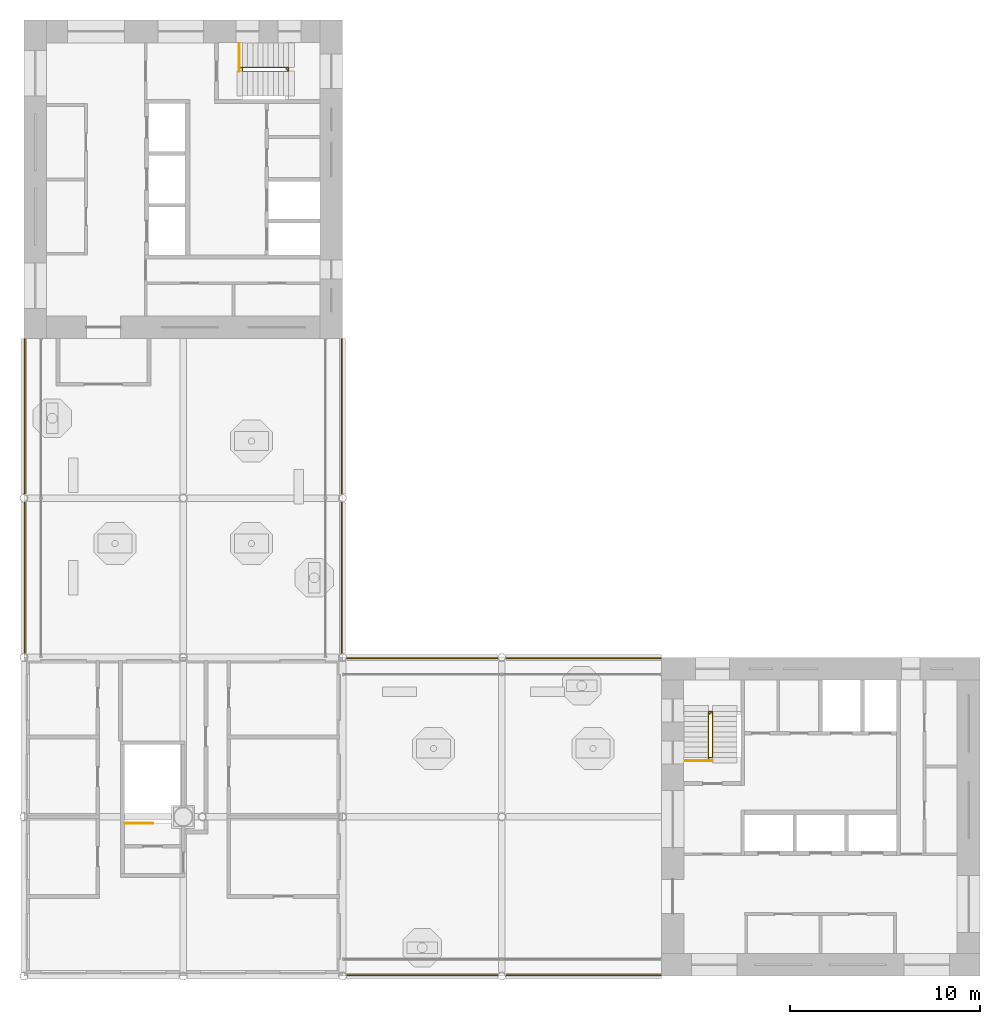
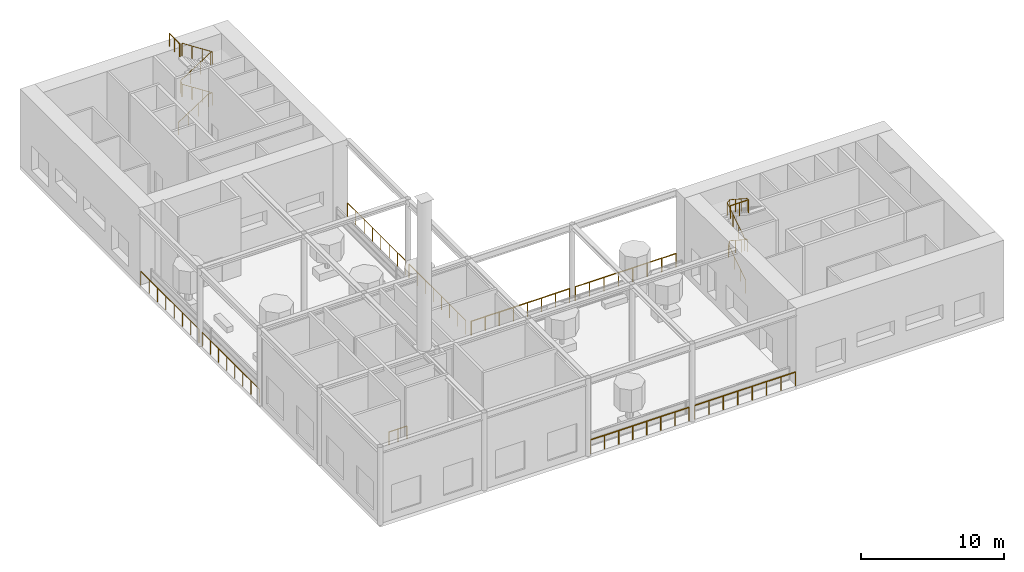
# One storey, part 13 of 15: 13 railings.
"""IFC4 building model written with IfcOpenShell, lengths in metres."""

from ifc_helpers import new_model, si_unit, direction, frame, origin, origin_2d, place, context, subcontext, project, spatial, circle, extrude, material, type_object, element, save


model = new_model("IFC4")

# Units and contexts
model_context = context("Model", 3, precision=1e-05, world=origin(), true_north=direction((0.0, 1.0)))
body_context = subcontext(model_context, "Body", "Model", "MODEL_VIEW")
ifc_project = project(units=[si_unit("LENGTHUNIT", "METRE"), si_unit("AREAUNIT", "SQUARE_METRE"), si_unit("VOLUMEUNIT", "CUBIC_METRE"), si_unit("PLANEANGLEUNIT", "RADIAN"), si_unit("MASSUNIT", "GRAM", prefix="KILO")], contexts=[model_context])

# Site, building, storey
site_placement = place(None, origin())
site = spatial("IfcSite", under=ifc_project, at=site_placement, CompositionType="ELEMENT")
building_placement = place(site_placement, origin())
building = spatial("IfcBuilding", under=site, at=building_placement, Name="Vermilion Gate Residences", CompositionType="ELEMENT")
storey_placement = place(building_placement, frame((0.0, 0.0, 277.199951171875)))
storey = spatial("IfcBuildingStorey", under=building, at=storey_placement, Name="L73", CompositionType="ELEMENT", Elevation=277.199951171875)

# Railings
ifc_material_1 = material(Name="Stainless steel and toughened glass", Category="steel")
railing_type_1 = type_object("IfcRailingType", Name="LOGGIA GUARD STEEL AND GLASS 1200", PredefinedType="GUARDRAIL", material=ifc_material_1)
railing_1_placement = place(storey_placement, frame((25.42529296875, 8.449951171875, 0.0)))
element("IfcRailing", 1, at=railing_1_placement, inside=storey, type_object=railing_type_1, Name="Loggia guard", PredefinedType="GUARDRAIL", context=body_context, shape_type="SweptSolid", body=[
    extrude(circle(Radius=0.030029296875, at=origin_2d()), frame((0.0, 0.0, 1.169921875), z_axis=(1.0, 0.0, 0.0), x_axis=(0.0, 1.0, 0.0)), (0.0, 0.0, 1.0), 7.949462890625),
    extrude(circle(Radius=0.02490234375, at=origin_2d()), origin(), (0.0, 0.0, 1.0), 1.139892578125),
    extrude(circle(Radius=0.02490234375, at=origin_2d()), frame((1.1357421875, 0.0, 0.0)), (0.0, 0.0, 1.0), 1.139892578125),
    extrude(circle(Radius=0.02490234375, at=origin_2d()), frame((2.271240234375, 0.0, 0.0)), (0.0, 0.0, 1.0), 1.139892578125),
    extrude(circle(Radius=0.02490234375, at=origin_2d()), frame((3.406982421875, 0.0, 0.0)), (0.0, 0.0, 1.0), 1.139892578125),
    extrude(circle(Radius=0.02490234375, at=origin_2d()), frame((4.54248046875, 0.0, 0.0)), (0.0, 0.0, 1.0), 1.139892578125),
    extrude(circle(Radius=0.02490234375, at=origin_2d()), frame((5.67822265625, 0.0, 0.0)), (0.0, 0.0, 1.0), 1.139892578125),
    extrude(circle(Radius=0.02490234375, at=origin_2d()), frame((6.813720703125, 0.0, 0.0)), (0.0, 0.0, 1.0), 1.139892578125),
    extrude(circle(Radius=0.02490234375, at=origin_2d()), frame((7.949462890625, 0.0, 0.0)), (0.0, 0.0, 1.0), 1.139892578125),
])
railing_2_placement = place(storey_placement, frame((33.8251953125, 8.449951171875, 0.0)))
element("IfcRailing", 2, at=railing_2_placement, inside=storey, type_object=railing_type_1, Name="Loggia guard", PredefinedType="GUARDRAIL", context=body_context, shape_type="SweptSolid", body=[
    extrude(circle(Radius=0.030029296875, at=origin_2d()), frame((0.0, 0.0, 1.169921875), z_axis=(1.0, 0.0, 0.0), x_axis=(0.0, 1.0, 0.0)), (0.0, 0.0, 1.0), 8.15283203125),
    extrude(circle(Radius=0.02490234375, at=origin_2d()), origin(), (0.0, 0.0, 1.0), 1.139892578125),
    extrude(circle(Radius=0.02490234375, at=origin_2d()), frame((1.164794921875, 0.0, 0.0)), (0.0, 0.0, 1.0), 1.139892578125),
    extrude(circle(Radius=0.02490234375, at=origin_2d()), frame((2.329345703125, 0.0, 0.0)), (0.0, 0.0, 1.0), 1.139892578125),
    extrude(circle(Radius=0.02490234375, at=origin_2d()), frame((3.494140625, 0.0, 0.0)), (0.0, 0.0, 1.0), 1.139892578125),
    extrude(circle(Radius=0.02490234375, at=origin_2d()), frame((4.65869140625, 0.0, 0.0)), (0.0, 0.0, 1.0), 1.139892578125),
    extrude(circle(Radius=0.02490234375, at=origin_2d()), frame((5.823486328125, 0.0, 0.0)), (0.0, 0.0, 1.0), 1.139892578125),
    extrude(circle(Radius=0.02490234375, at=origin_2d()), frame((6.988037109375, 0.0, 0.0)), (0.0, 0.0, 1.0), 1.139892578125),
    extrude(circle(Radius=0.02490234375, at=origin_2d()), frame((8.15283203125, 0.0, 0.0)), (0.0, 0.0, 1.0), 1.139892578125),
])
railing_3_placement = place(storey_placement, frame((41.97802734375, 25.14990234375, 0.0)))
element("IfcRailing", 3, at=railing_3_placement, inside=storey, type_object=railing_type_1, Name="Loggia guard", PredefinedType="GUARDRAIL", context=body_context, shape_type="SweptSolid", body=[
    extrude(circle(Radius=0.030029296875, at=origin_2d()), frame((0.0, 0.0, 1.169921875), z_axis=(-1.0, 0.0, 0.0), x_axis=(0.0, -1.0, 0.0)), (0.0, 0.0, 1.0), 8.15283203125),
    extrude(circle(Radius=0.02490234375, at=origin_2d()), origin(), (0.0, 0.0, 1.0), 1.139892578125),
    extrude(circle(Radius=0.02490234375, at=origin_2d()), frame((-1.164794921875, 0.0, 0.0)), (0.0, 0.0, 1.0), 1.139892578125),
    extrude(circle(Radius=0.02490234375, at=origin_2d()), frame((-2.329345703125, 0.0, 0.0)), (0.0, 0.0, 1.0), 1.139892578125),
    extrude(circle(Radius=0.02490234375, at=origin_2d()), frame((-3.494140625, 0.0, 0.0)), (0.0, 0.0, 1.0), 1.139892578125),
    extrude(circle(Radius=0.02490234375, at=origin_2d()), frame((-4.65869140625, 0.0, 0.0)), (0.0, 0.0, 1.0), 1.139892578125),
    extrude(circle(Radius=0.02490234375, at=origin_2d()), frame((-5.823486328125, 0.0, 0.0)), (0.0, 0.0, 1.0), 1.139892578125),
    extrude(circle(Radius=0.02490234375, at=origin_2d()), frame((-6.988037109375, 0.0, 0.0)), (0.0, 0.0, 1.0), 1.139892578125),
    extrude(circle(Radius=0.02490234375, at=origin_2d()), frame((-8.15283203125, 0.0, 0.0)), (0.0, 0.0, 1.0), 1.139892578125),
])
railing_4_placement = place(storey_placement, frame((33.374755859375, 25.14990234375, 0.0)))
element("IfcRailing", 4, at=railing_4_placement, inside=storey, type_object=railing_type_1, Name="Loggia guard", PredefinedType="GUARDRAIL", context=body_context, shape_type="SweptSolid", body=[
    extrude(circle(Radius=0.030029296875, at=origin_2d()), frame((0.0, 0.0, 1.169921875), z_axis=(-1.0, 0.0, 0.0), x_axis=(0.0, -1.0, 0.0)), (0.0, 0.0, 1.0), 7.949462890625),
    extrude(circle(Radius=0.02490234375, at=origin_2d()), origin(), (0.0, 0.0, 1.0), 1.139892578125),
    extrude(circle(Radius=0.02490234375, at=origin_2d()), frame((-1.1357421875, 0.0, 0.0)), (0.0, 0.0, 1.0), 1.139892578125),
    extrude(circle(Radius=0.02490234375, at=origin_2d()), frame((-2.271240234375, 0.0, 0.0)), (0.0, 0.0, 1.0), 1.139892578125),
    extrude(circle(Radius=0.02490234375, at=origin_2d()), frame((-3.406982421875, 0.0, 0.0)), (0.0, 0.0, 1.0), 1.139892578125),
    extrude(circle(Radius=0.02490234375, at=origin_2d()), frame((-4.54248046875, 0.0, 0.0)), (0.0, 0.0, 1.0), 1.139892578125),
    extrude(circle(Radius=0.02490234375, at=origin_2d()), frame((-5.67822265625, 0.0, 0.0)), (0.0, 0.0, 1.0), 1.139892578125),
    extrude(circle(Radius=0.02490234375, at=origin_2d()), frame((-6.813720703125, 0.0, 0.0)), (0.0, 0.0, 1.0), 1.139892578125),
    extrude(circle(Radius=0.02490234375, at=origin_2d()), frame((-7.949462890625, 0.0, 0.0)), (0.0, 0.0, 1.0), 1.139892578125),
])
railing_5_placement = place(storey_placement, frame((25.14990234375, 25.42529296875, 0.0)))
element("IfcRailing", 5, at=railing_5_placement, inside=storey, type_object=railing_type_1, Name="Loggia guard", PredefinedType="GUARDRAIL", context=body_context, shape_type="SweptSolid", body=[
    extrude(circle(Radius=0.030029296875, at=origin_2d()), frame((0.0, 0.0, 1.169921875), z_axis=(0.0, 1.0, 0.0), x_axis=(-1.0, 0.0, 0.0)), (0.0, 0.0, 1.0), 7.949462890625),
    extrude(circle(Radius=0.02490234375, at=origin_2d()), origin(), (0.0, 0.0, 1.0), 1.139892578125),
    extrude(circle(Radius=0.02490234375, at=origin_2d()), frame((0.0, 1.1357421875, 0.0)), (0.0, 0.0, 1.0), 1.139892578125),
    extrude(circle(Radius=0.02490234375, at=origin_2d()), frame((0.0, 2.271240234375, 0.0)), (0.0, 0.0, 1.0), 1.139892578125),
    extrude(circle(Radius=0.02490234375, at=origin_2d()), frame((0.0, 3.406982421875, 0.0)), (0.0, 0.0, 1.0), 1.139892578125),
    extrude(circle(Radius=0.02490234375, at=origin_2d()), frame((0.0, 4.54248046875, 0.0)), (0.0, 0.0, 1.0), 1.139892578125),
    extrude(circle(Radius=0.02490234375, at=origin_2d()), frame((0.0, 5.67822265625, 0.0)), (0.0, 0.0, 1.0), 1.139892578125),
    extrude(circle(Radius=0.02490234375, at=origin_2d()), frame((0.0, 6.813720703125, 0.0)), (0.0, 0.0, 1.0), 1.139892578125),
    extrude(circle(Radius=0.02490234375, at=origin_2d()), frame((0.0, 7.949462890625, 0.0)), (0.0, 0.0, 1.0), 1.139892578125),
])
railing_6_placement = place(storey_placement, frame((25.14990234375, 33.8251953125, 0.0)))
element("IfcRailing", 6, at=railing_6_placement, inside=storey, type_object=railing_type_1, Name="Loggia guard", PredefinedType="GUARDRAIL", context=body_context, shape_type="SweptSolid", body=[
    extrude(circle(Radius=0.030029296875, at=origin_2d()), frame((0.0, 0.0, 1.169921875), z_axis=(0.0, 1.0, 0.0), x_axis=(-1.0, 0.0, 0.0)), (0.0, 0.0, 1.0), 8.15283203125),
    extrude(circle(Radius=0.02490234375, at=origin_2d()), origin(), (0.0, 0.0, 1.0), 1.139892578125),
    extrude(circle(Radius=0.02490234375, at=origin_2d()), frame((0.0, 1.164794921875, 0.0)), (0.0, 0.0, 1.0), 1.139892578125),
    extrude(circle(Radius=0.02490234375, at=origin_2d()), frame((0.0, 2.329345703125, 0.0)), (0.0, 0.0, 1.0), 1.139892578125),
    extrude(circle(Radius=0.02490234375, at=origin_2d()), frame((0.0, 3.494140625, 0.0)), (0.0, 0.0, 1.0), 1.139892578125),
    extrude(circle(Radius=0.02490234375, at=origin_2d()), frame((0.0, 4.65869140625, 0.0)), (0.0, 0.0, 1.0), 1.139892578125),
    extrude(circle(Radius=0.02490234375, at=origin_2d()), frame((0.0, 5.823486328125, 0.0)), (0.0, 0.0, 1.0), 1.139892578125),
    extrude(circle(Radius=0.02490234375, at=origin_2d()), frame((0.0, 6.988037109375, 0.0)), (0.0, 0.0, 1.0), 1.139892578125),
    extrude(circle(Radius=0.02490234375, at=origin_2d()), frame((0.0, 8.15283203125, 0.0)), (0.0, 0.0, 1.0), 1.139892578125),
])
railing_7_placement = place(storey_placement, frame((8.449951171875, 41.97802734375, 0.0)))
element("IfcRailing", 7, at=railing_7_placement, inside=storey, type_object=railing_type_1, Name="Loggia guard", PredefinedType="GUARDRAIL", context=body_context, shape_type="SweptSolid", body=[
    extrude(circle(Radius=0.030029296875, at=origin_2d()), frame((0.0, 0.0, 1.169921875), z_axis=(0.0, -1.0, 0.0), x_axis=(1.0, 0.0, 0.0)), (0.0, 0.0, 1.0), 8.15283203125),
    extrude(circle(Radius=0.02490234375, at=origin_2d()), origin(), (0.0, 0.0, 1.0), 1.139892578125),
    extrude(circle(Radius=0.02490234375, at=origin_2d()), frame((0.0, -1.164794921875, 0.0)), (0.0, 0.0, 1.0), 1.139892578125),
    extrude(circle(Radius=0.02490234375, at=origin_2d()), frame((0.0, -2.329345703125, 0.0)), (0.0, 0.0, 1.0), 1.139892578125),
    extrude(circle(Radius=0.02490234375, at=origin_2d()), frame((0.0, -3.494140625, 0.0)), (0.0, 0.0, 1.0), 1.139892578125),
    extrude(circle(Radius=0.02490234375, at=origin_2d()), frame((0.0, -4.65869140625, 0.0)), (0.0, 0.0, 1.0), 1.139892578125),
    extrude(circle(Radius=0.02490234375, at=origin_2d()), frame((0.0, -5.823486328125, 0.0)), (0.0, 0.0, 1.0), 1.139892578125),
    extrude(circle(Radius=0.02490234375, at=origin_2d()), frame((0.0, -6.988037109375, 0.0)), (0.0, 0.0, 1.0), 1.139892578125),
    extrude(circle(Radius=0.02490234375, at=origin_2d()), frame((0.0, -8.15283203125, 0.0)), (0.0, 0.0, 1.0), 1.139892578125),
])
railing_8_placement = place(storey_placement, frame((8.449951171875, 33.374755859375, 0.0)))
element("IfcRailing", 8, at=railing_8_placement, inside=storey, type_object=railing_type_1, Name="Loggia guard", PredefinedType="GUARDRAIL", context=body_context, shape_type="SweptSolid", body=[
    extrude(circle(Radius=0.030029296875, at=origin_2d()), frame((0.0, 0.0, 1.169921875), z_axis=(0.0, -1.0, 0.0), x_axis=(1.0, 0.0, 0.0)), (0.0, 0.0, 1.0), 7.949462890625),
    extrude(circle(Radius=0.02490234375, at=origin_2d()), origin(), (0.0, 0.0, 1.0), 1.139892578125),
    extrude(circle(Radius=0.02490234375, at=origin_2d()), frame((0.0, -1.1357421875, 0.0)), (0.0, 0.0, 1.0), 1.139892578125),
    extrude(circle(Radius=0.02490234375, at=origin_2d()), frame((0.0, -2.271240234375, 0.0)), (0.0, 0.0, 1.0), 1.139892578125),
    extrude(circle(Radius=0.02490234375, at=origin_2d()), frame((0.0, -3.406982421875, 0.0)), (0.0, 0.0, 1.0), 1.139892578125),
    extrude(circle(Radius=0.02490234375, at=origin_2d()), frame((0.0, -4.54248046875, 0.0)), (0.0, 0.0, 1.0), 1.139892578125),
    extrude(circle(Radius=0.02490234375, at=origin_2d()), frame((0.0, -5.67822265625, 0.0)), (0.0, 0.0, 1.0), 1.139892578125),
    extrude(circle(Radius=0.02490234375, at=origin_2d()), frame((0.0, -6.813720703125, 0.0)), (0.0, 0.0, 1.0), 1.139892578125),
    extrude(circle(Radius=0.02490234375, at=origin_2d()), frame((0.0, -7.949462890625, 0.0)), (0.0, 0.0, 1.0), 1.139892578125),
])
ifc_material_2 = material(Name="Steel S355", Category="steel")
railing_type_2 = type_object("IfcRailingType", Name="STAIR GUARD 1100 STEEL", PredefinedType="GUARDRAIL", material=ifc_material_2)
railing_9_placement = place(storey_placement, frame((44.5, 19.75, 0.175048828125)))
element("IfcRailing", 9, at=railing_9_placement, inside=storey, type_object=railing_type_2, Name="Stair well guard STA1-73", PredefinedType="GUARDRAIL", context=body_context, shape_type="SweptSolid", body=[
    extrude(circle(Radius=0.02392578125, at=origin_2d()), frame((0.0, 0.0, 1.076171875), z_axis=(0.0, 0.839153699163, 0.543894354798), x_axis=(-1.0, 0.0, 0.0)), (0.0, 0.0, 1.0), 2.895751953125),
    extrude(circle(Radius=0.02392578125, at=origin_2d()), frame((0.0, 2.429931640625, 2.65087890625), z_axis=(0.622765251099, 0.561173083408, 0.545204743636), x_axis=(-0.669415636384, 0.74288808428, 0.0)), (0.0, 0.0, 1.0), 0.321044921875),
    extrude(circle(Radius=0.02392578125, at=origin_2d()), frame((0.199951171875, 2.610107421875, 2.826171875), z_axis=(0.0, -0.839178637674, 0.543855876194), x_axis=(1.0, 0.0, 0.0)), (0.0, 0.0, 1.0), 2.89599609375),
    extrude(circle(Radius=0.02392578125, at=origin_2d()), frame((0.199951171875, 0.179931640625, 4.40087890625), z_axis=(-0.752405939678, 0.0, 0.658699705433), x_axis=(0.0, -1.0, 0.0)), (0.0, 0.0, 1.0), 0.265869140625),
    extrude(circle(Radius=0.02392578125, at=origin_2d()), frame((0.0, 0.179931640625, 4.576171875), z_axis=(0.0, 0.839178637674, 0.543855876194), x_axis=(-1.0, 0.0, 0.0)), (0.0, 0.0, 1.0), 2.89599609375),
    extrude(circle(Radius=0.02392578125, at=origin_2d()), frame((0.0, 2.610107421875, 6.15087890625), z_axis=(0.752405939678, 0.0, 0.658699705433), x_axis=(0.0, 1.0, 0.0)), (0.0, 0.0, 1.0), 0.265869140625),
    extrude(circle(Radius=0.02392578125, at=origin_2d()), frame((0.199951171875, 2.610107421875, 6.326171875), z_axis=(0.0, -0.839178637674, 0.543855876194), x_axis=(1.0, 0.0, 0.0)), (0.0, 0.0, 1.0), 2.89599609375),
    extrude(circle(Radius=0.02099609375, at=origin_2d()), origin(), (0.0, 0.0, 1.0), 1.052001953125),
    extrude(circle(Radius=0.02099609375, at=origin_2d()), frame((0.0, 0.81005859375, 0.52490234375)), (0.0, 0.0, 1.0), 1.052001953125),
    extrude(circle(Radius=0.02099609375, at=origin_2d()), frame((0.0, 1.619873046875, 1.050048828125)), (0.0, 0.0, 1.0), 1.052001953125),
    extrude(circle(Radius=0.02099609375, at=origin_2d()), frame((0.0, 2.429931640625, 1.574951171875)), (0.0, 0.0, 1.0), 1.052001953125),
    extrude(circle(Radius=0.02099609375, at=origin_2d()), frame((0.199951171875, 2.610107421875, 1.75)), (0.0, 0.0, 1.0), 1.052001953125),
    extrude(circle(Radius=0.02099609375, at=origin_2d()), frame((0.199951171875, 1.800048828125, 2.27490234375)), (0.0, 0.0, 1.0), 1.052001953125),
    extrude(circle(Radius=0.02099609375, at=origin_2d()), frame((0.199951171875, 0.989990234375, 2.800048828125)), (0.0, 0.0, 1.0), 1.052001953125),
    extrude(circle(Radius=0.02099609375, at=origin_2d()), frame((0.199951171875, 0.179931640625, 3.324951171875)), (0.0, 0.0, 1.0), 1.052001953125),
    extrude(circle(Radius=0.02099609375, at=origin_2d()), frame((0.0, 0.179931640625, 3.5)), (0.0, 0.0, 1.0), 1.052001953125),
    extrude(circle(Radius=0.02099609375, at=origin_2d()), frame((0.0, 0.989990234375, 4.02490234375)), (0.0, 0.0, 1.0), 1.052001953125),
    extrude(circle(Radius=0.02099609375, at=origin_2d()), frame((0.0, 1.800048828125, 4.550048828125)), (0.0, 0.0, 1.0), 1.052001953125),
    extrude(circle(Radius=0.02099609375, at=origin_2d()), frame((0.0, 2.610107421875, 5.074951171875)), (0.0, 0.0, 1.0), 1.052001953125),
    extrude(circle(Radius=0.02099609375, at=origin_2d()), frame((0.199951171875, 2.610107421875, 5.25)), (0.0, 0.0, 1.0), 1.052001953125),
    extrude(circle(Radius=0.02099609375, at=origin_2d()), frame((0.199951171875, 1.800048828125, 5.77490234375)), (0.0, 0.0, 1.0), 1.052001953125),
    extrude(circle(Radius=0.02099609375, at=origin_2d()), frame((0.199951171875, 0.989990234375, 6.300048828125)), (0.0, 0.0, 1.0), 1.052001953125),
    extrude(circle(Radius=0.02099609375, at=origin_2d()), frame((0.199951171875, 0.179931640625, 6.824951171875)), (0.0, 0.0, 1.0), 1.052001953125),
])
railing_10_placement = place(storey_placement, frame((43.25, 19.75, 7.0)))
element("IfcRailing", 10, at=railing_10_placement, inside=storey, type_object=railing_type_2, Name="Stair opening guard STA1-73", PredefinedType="GUARDRAIL", context=body_context, shape_type="SweptSolid", body=[
    extrude(circle(Radius=0.02392578125, at=origin_2d()), frame((0.0, 0.0, 1.076171875), z_axis=(1.0, 0.0, 0.0), x_axis=(0.0, 1.0, 0.0)), (0.0, 0.0, 1.0), 1.449951171875),
    extrude(circle(Radius=0.02099609375, at=origin_2d()), origin(), (0.0, 0.0, 1.0), 1.052001953125),
    extrude(circle(Radius=0.02099609375, at=origin_2d()), frame((0.72509765625, 0.0, 0.0)), (0.0, 0.0, 1.0), 1.052001953125),
    extrude(circle(Radius=0.02099609375, at=origin_2d()), frame((1.449951171875, 0.0, 0.0)), (0.0, 0.0, 1.0), 1.052001953125),
])
railing_11_placement = place(storey_placement, frame((19.75, 56.300048828125, 0.175048828125)))
element("IfcRailing", 11, at=railing_11_placement, inside=storey, type_object=railing_type_2, Name="Stair well guard STB1-73", PredefinedType="GUARDRAIL", context=body_context, shape_type="SweptSolid", body=[
    extrude(circle(Radius=0.02392578125, at=origin_2d()), frame((0.0, 0.0, 1.076171875), z_axis=(0.839153699163, 0.0, 0.543894354798), x_axis=(0.0, 1.0, 0.0)), (0.0, 0.0, 1.0), 2.895751953125),
    extrude(circle(Radius=0.02392578125, at=origin_2d()), frame((2.429931640625, 0.0, 2.65087890625), z_axis=(0.561173083408, -0.622765251099, 0.545204743636), x_axis=(0.74288808428, 0.669415636384, 0.0)), (0.0, 0.0, 1.0), 0.321044921875),
    extrude(circle(Radius=0.02392578125, at=origin_2d()), frame((2.610107421875, -0.199951171875, 2.826171875), z_axis=(-0.839178637674, 0.0, 0.543855876194), x_axis=(0.0, -1.0, 0.0)), (0.0, 0.0, 1.0), 2.89599609375),
    extrude(circle(Radius=0.02392578125, at=origin_2d()), frame((0.179931640625, -0.199951171875, 4.40087890625), z_axis=(0.0, 0.752405939678, 0.658699705433), x_axis=(-1.0, 0.0, 0.0)), (0.0, 0.0, 1.0), 0.265869140625),
    extrude(circle(Radius=0.02392578125, at=origin_2d()), frame((0.179931640625, 0.0, 4.576171875), z_axis=(0.839178637674, 0.0, 0.543855876194), x_axis=(0.0, 1.0, 0.0)), (0.0, 0.0, 1.0), 2.89599609375),
    extrude(circle(Radius=0.02392578125, at=origin_2d()), frame((2.610107421875, 0.0, 6.15087890625), z_axis=(0.0, -0.752405939678, 0.658699705433), x_axis=(1.0, 0.0, 0.0)), (0.0, 0.0, 1.0), 0.265869140625),
    extrude(circle(Radius=0.02392578125, at=origin_2d()), frame((2.610107421875, -0.199951171875, 6.326171875), z_axis=(-0.839178637674, 0.0, 0.543855876194), x_axis=(0.0, -1.0, 0.0)), (0.0, 0.0, 1.0), 2.89599609375),
    extrude(circle(Radius=0.02099609375, at=origin_2d()), origin(), (0.0, 0.0, 1.0), 1.052001953125),
    extrude(circle(Radius=0.02099609375, at=origin_2d()), frame((0.81005859375, 0.0, 0.52490234375)), (0.0, 0.0, 1.0), 1.052001953125),
    extrude(circle(Radius=0.02099609375, at=origin_2d()), frame((1.619873046875, 0.0, 1.050048828125)), (0.0, 0.0, 1.0), 1.052001953125),
    extrude(circle(Radius=0.02099609375, at=origin_2d()), frame((2.429931640625, 0.0, 1.574951171875)), (0.0, 0.0, 1.0), 1.052001953125),
    extrude(circle(Radius=0.02099609375, at=origin_2d()), frame((2.610107421875, -0.199951171875, 1.75)), (0.0, 0.0, 1.0), 1.052001953125),
    extrude(circle(Radius=0.02099609375, at=origin_2d()), frame((1.800048828125, -0.199951171875, 2.27490234375)), (0.0, 0.0, 1.0), 1.052001953125),
    extrude(circle(Radius=0.02099609375, at=origin_2d()), frame((0.989990234375, -0.199951171875, 2.800048828125)), (0.0, 0.0, 1.0), 1.052001953125),
    extrude(circle(Radius=0.02099609375, at=origin_2d()), frame((0.179931640625, -0.199951171875, 3.324951171875)), (0.0, 0.0, 1.0), 1.052001953125),
    extrude(circle(Radius=0.02099609375, at=origin_2d()), frame((0.179931640625, 0.0, 3.5)), (0.0, 0.0, 1.0), 1.052001953125),
    extrude(circle(Radius=0.02099609375, at=origin_2d()), frame((0.989990234375, 0.0, 4.02490234375)), (0.0, 0.0, 1.0), 1.052001953125),
    extrude(circle(Radius=0.02099609375, at=origin_2d()), frame((1.800048828125, 0.0, 4.550048828125)), (0.0, 0.0, 1.0), 1.052001953125),
    extrude(circle(Radius=0.02099609375, at=origin_2d()), frame((2.610107421875, 0.0, 5.074951171875)), (0.0, 0.0, 1.0), 1.052001953125),
    extrude(circle(Radius=0.02099609375, at=origin_2d()), frame((2.610107421875, -0.199951171875, 5.25)), (0.0, 0.0, 1.0), 1.052001953125),
    extrude(circle(Radius=0.02099609375, at=origin_2d()), frame((1.800048828125, -0.199951171875, 5.77490234375)), (0.0, 0.0, 1.0), 1.052001953125),
    extrude(circle(Radius=0.02099609375, at=origin_2d()), frame((0.989990234375, -0.199951171875, 6.300048828125)), (0.0, 0.0, 1.0), 1.052001953125),
    extrude(circle(Radius=0.02099609375, at=origin_2d()), frame((0.179931640625, -0.199951171875, 6.824951171875)), (0.0, 0.0, 1.0), 1.052001953125),
])
railing_12_placement = place(storey_placement, frame((19.75, 57.550048828125, 7.0)))
element("IfcRailing", 12, at=railing_12_placement, inside=storey, type_object=railing_type_2, Name="Stair opening guard STB1-73", PredefinedType="GUARDRAIL", context=body_context, shape_type="SweptSolid", body=[
    extrude(circle(Radius=0.02392578125, at=origin_2d()), frame((0.0, 0.0, 1.076171875), z_axis=(0.0, -1.0, 0.0), x_axis=(1.0, 0.0, 0.0)), (0.0, 0.0, 1.0), 1.449951171875),
    extrude(circle(Radius=0.02099609375, at=origin_2d()), origin(), (0.0, 0.0, 1.0), 1.052001953125),
    extrude(circle(Radius=0.02099609375, at=origin_2d()), frame((0.0, -0.72509765625, 0.0)), (0.0, 0.0, 1.0), 1.052001953125),
    extrude(circle(Radius=0.02099609375, at=origin_2d()), frame((0.0, -1.449951171875, 0.0)), (0.0, 0.0, 1.0), 1.052001953125),
])
railing_13_placement = place(storey_placement, frame((13.75, 16.449951171875, 0.0)))
element("IfcRailing", 13, at=railing_13_placement, inside=storey, type_object=railing_type_2, Name="Stair opening guard STC1-73", PredefinedType="GUARDRAIL", context=body_context, shape_type="SweptSolid", body=[
    extrude(circle(Radius=0.02392578125, at=origin_2d()), frame((0.0, 0.0, 1.076171875), z_axis=(1.0, 0.0, 0.0), x_axis=(0.0, 1.0, 0.0)), (0.0, 0.0, 1.0), 1.449951171875),
    extrude(circle(Radius=0.02099609375, at=origin_2d()), origin(), (0.0, 0.0, 1.0), 1.052001953125),
    extrude(circle(Radius=0.02099609375, at=origin_2d()), frame((0.72509765625, 0.0, 0.0)), (0.0, 0.0, 1.0), 1.052001953125),
    extrude(circle(Radius=0.02099609375, at=origin_2d()), frame((1.449951171875, 0.0, 0.0)), (0.0, 0.0, 1.0), 1.052001953125),
])

save(model, "model.ifc")
